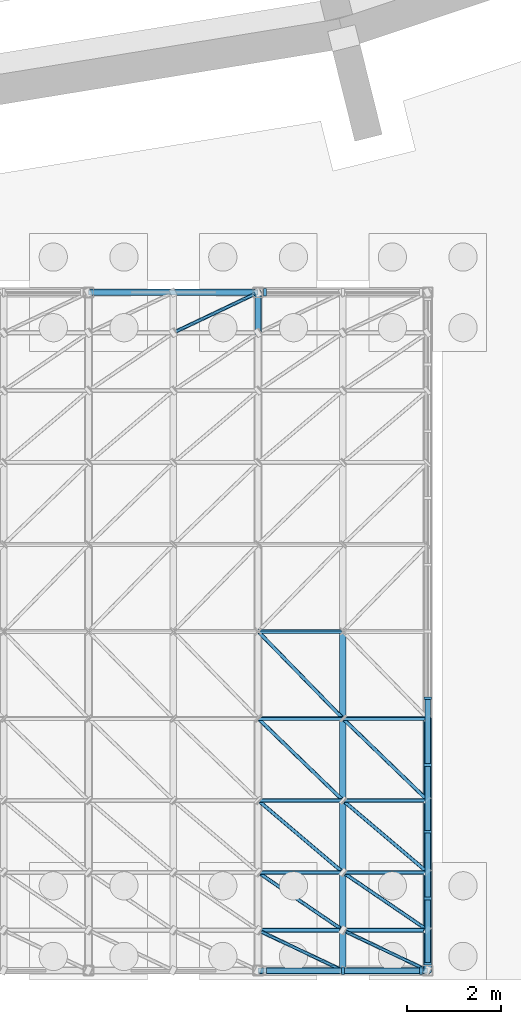
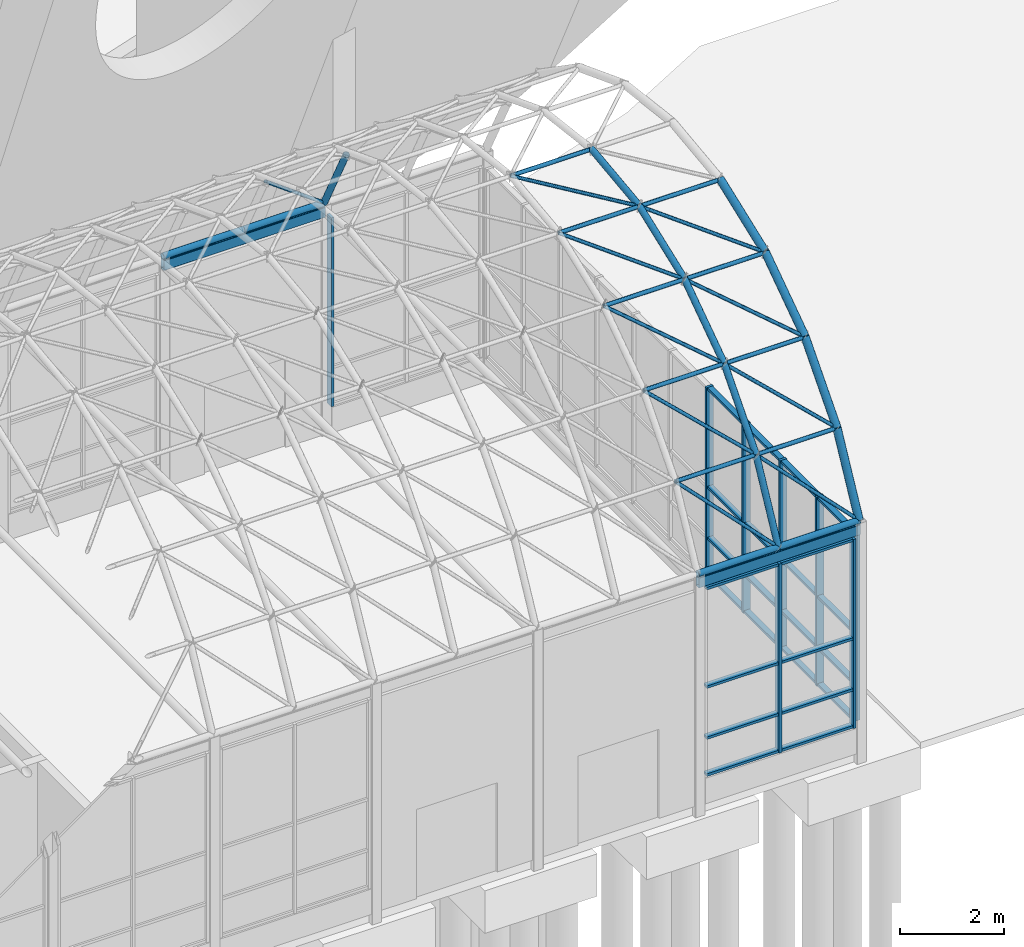
# One storey, part 36 of 116: 65 members, 2 beams, 3 elements without a shape of their own.
"""IFC4 building model written with IfcOpenShell, lengths in metres."""

from ifc_helpers import new_model, si_unit, direction, frame, origin, origin_2d, place, context, subcontext, project, spatial, rectangle, hollow_rectangle, hollow_circle, extrude, material, layer, layer_set, material_profile, profile_set, type_object, element, aggregate, save


model = new_model("IFC4")

# Units and contexts
model_context = context("Model", 3, precision=1e-05, world=origin(), true_north=direction((0.0, 1.0)))
body_context = subcontext(model_context, "Body", "Model", "MODEL_VIEW")
ifc_project = project(units=[si_unit("LENGTHUNIT", "METRE"), si_unit("AREAUNIT", "SQUARE_METRE"), si_unit("VOLUMEUNIT", "CUBIC_METRE"), si_unit("PLANEANGLEUNIT", "RADIAN"), si_unit("MASSUNIT", "GRAM", prefix="KILO")], contexts=[model_context])

# Site, building, storey
site_placement = place(None, origin())
site = spatial("IfcSite", under=ifc_project, at=site_placement, CompositionType="ELEMENT")
building_placement = place(site_placement, origin())
building = spatial("IfcBuilding", under=site, at=building_placement, Name="Ardhachandra Cancer Care Centre", CompositionType="ELEMENT")
storey_placement = place(building_placement, origin())
storey = spatial("IfcBuildingStorey", under=building, at=storey_placement, Name="L00", CompositionType="ELEMENT", Elevation=0.0)

# Beams
ifc_material_1 = material(Name="Steel E350 (IS 2062)", Category="steel")
ifc_material_profile_1 = material_profile(ifc_material_1, hollow_rectangle(XDim=0.1201171875, YDim=0.239990234375, WallThickness=0.006103515625, InnerFilletRadius=0.006103515625, OuterFilletRadius=0.011962890625, at=origin_2d()), Name="RHS 240x120x6.0")
ifc_profile_set_1 = profile_set([ifc_material_profile_1], Name="Steel E350 (IS 2062)")
beam_type = type_object("IfcBeamType", Name="Beam RHS 240x120x6.0", PredefinedType="BEAM", material=ifc_profile_set_1)
beam_1_placement = place(storey_placement, frame((88.800048828125, 7.199951171875, 5.210205078125), z_axis=(1.0, 0.0, 0.0), x_axis=(0.0, 1.0, 0.0)))
element("IfcBeam", 1, at=beam_1_placement, inside=storey, type_object=beam_type, Name="Pavilion edge beam S8-9", PredefinedType="BEAM", context=body_context, shape_type="SweptSolid", body=[
    extrude(hollow_rectangle(XDim=0.1201171875, YDim=0.239990234375, WallThickness=0.006103515625, InnerFilletRadius=0.006103515625, OuterFilletRadius=0.011962890625, at=origin_2d()), origin(), (0.0, 0.0, 1.0), 3.599853515625),
])
beam_2_placement = place(storey_placement, frame((85.199951171875, 21.60009765625, 5.210205078125), z_axis=(1.0, 0.0, 0.0), x_axis=(0.0, 1.0, 0.0)))
element("IfcBeam", 2, at=beam_2_placement, inside=storey, type_object=beam_type, Name="Pavilion edge beam N7-8", PredefinedType="BEAM", context=body_context, shape_type="SweptSolid", body=[
    extrude(hollow_rectangle(XDim=0.1201171875, YDim=0.239990234375, WallThickness=0.006103515625, InnerFilletRadius=0.006103515625, OuterFilletRadius=0.011962890625, at=origin_2d()), origin(), (0.0, 0.0, 1.0), 3.60009765625),
])

# Curtain wall, members
ifc_material_2 = material(Name="Aluminium extrusion", Category="aluminium")
ifc_layer = layer(ifc_material_2, 0.14990234375)
ifc_layer_set = layer_set([ifc_layer], Name="Aluminium extrusion")
curtain_wall_type = type_object("IfcCurtainWallType", Name="Curtain wall run", PredefinedType="NOTDEFINED", material=ifc_layer_set)
curtain_wall_1_placement = place(storey_placement, origin())
curtain_wall_1 = element("IfcCurtainWall", 3, at=curtain_wall_1_placement, inside=storey, type_object=curtain_wall_type, Name="Curtain wall L00 s/0088800_0007200", PredefinedType="NOTDEFINED")
ifc_material_3 = material(Name="Aluminium extrusion", Category="aluminium")
ifc_material_profile_2 = material_profile(ifc_material_3, rectangle(XDim=0.159912109375, YDim=0.06005859375, at=origin_2d()), Name="Curtain wall mullion 60 x 160")
ifc_profile_set_2 = profile_set([ifc_material_profile_2], Name="Aluminium extrusion")
member_type_1 = type_object("IfcMemberType", Name="Curtain wall mullion 60 x 160", PredefinedType="MULLION", material=ifc_profile_set_2)
member_1_placement = place(storey_placement, frame((90.60009765625, 7.199951171875, 0.60009765625), z_axis=(0.0, 0.0, 1.0), x_axis=(0.0, 1.0, 0.0)))
member_1 = element("IfcMember", 4, at=member_1_placement, type_object=member_type_1, Name="CW mullion 2", PredefinedType="MULLION", context=body_context, shape_type="SweptSolid", body=[
    extrude(rectangle(XDim=0.159912109375, YDim=0.06005859375, at=origin_2d()), origin(), (0.0, 0.0, 1.0), 4.449951171875),
])
member_2_placement = place(storey_placement, frame((92.2548828125, 7.199951171875, 0.60009765625), z_axis=(0.0, 0.0, 1.0), x_axis=(0.0, 1.0, 0.0)))
member_2 = element("IfcMember", 5, at=member_2_placement, type_object=member_type_1, Name="CW mullion 3", PredefinedType="MULLION", context=body_context, shape_type="SweptSolid", body=[
    extrude(rectangle(XDim=0.159912109375, YDim=0.06005859375, at=origin_2d()), origin(), (0.0, 0.0, 1.0), 4.449951171875),
])

# Curtain wall, member
curtain_wall_2_placement = place(storey_placement, origin())
curtain_wall_2 = element("IfcCurtainWall", 6, at=curtain_wall_2_placement, inside=storey, type_object=curtain_wall_type, Name="Curtain wall L00 n/0088800_0021600", PredefinedType="NOTDEFINED")
member_3_placement = place(storey_placement, frame((88.945068359375, 21.60009765625, 0.60009765625), z_axis=(0.0, 0.0, 1.0), x_axis=(0.0, 1.0, 0.0)))
member_3 = element("IfcMember", 7, at=member_3_placement, type_object=member_type_1, Name="CW mullion 1", PredefinedType="MULLION", context=body_context, shape_type="SweptSolid", body=[
    extrude(rectangle(XDim=0.159912109375, YDim=0.06005859375, at=origin_2d()), origin(), (0.0, 0.0, 1.0), 4.449951171875),
])
aggregate(curtain_wall_2, [member_3])

# Curtain wall, members
curtain_wall_3_placement = place(storey_placement, origin())
curtain_wall_3 = element("IfcCurtainWall", 8, at=curtain_wall_3_placement, inside=storey, type_object=curtain_wall_type, Name="Curtain wall L00 e/0092400_0007200", PredefinedType="NOTDEFINED")
member_4_placement = place(storey_placement, frame((92.39990234375, 7.344970703125, 0.60009765625), z_axis=(0.0, 0.0, 1.0), x_axis=(-1.0, 0.0, 0.0)))
member_4 = element("IfcMember", 9, at=member_4_placement, type_object=member_type_1, Name="CW mullion 1", PredefinedType="MULLION", context=body_context, shape_type="SweptSolid", body=[
    extrude(rectangle(XDim=0.159912109375, YDim=0.06005859375, at=origin_2d()), origin(), (0.0, 0.0, 1.0), 4.449951171875),
])
member_5_placement = place(storey_placement, frame((92.39990234375, 8.73193359375, 0.60009765625), z_axis=(0.0, 0.0, 1.0), x_axis=(-1.0, 0.0, 0.0)))
member_5 = element("IfcMember", 10, at=member_5_placement, type_object=member_type_1, Name="CW mullion 2", PredefinedType="MULLION", context=body_context, shape_type="SweptSolid", body=[
    extrude(rectangle(XDim=0.159912109375, YDim=0.06005859375, at=origin_2d()), origin(), (0.0, 0.0, 1.0), 4.449951171875),
])
member_6_placement = place(storey_placement, frame((92.39990234375, 10.14892578125, 0.60009765625), z_axis=(0.0, 0.0, 1.0), x_axis=(-1.0, 0.0, 0.0)))
member_6 = element("IfcMember", 11, at=member_6_placement, type_object=member_type_1, Name="CW mullion 3", PredefinedType="MULLION", context=body_context, shape_type="SweptSolid", body=[
    extrude(rectangle(XDim=0.159912109375, YDim=0.06005859375, at=origin_2d()), origin(), (0.0, 0.0, 1.0), 4.449951171875),
])
member_7_placement = place(storey_placement, frame((92.39990234375, 11.56591796875, 0.60009765625), z_axis=(0.0, 0.0, 1.0), x_axis=(-1.0, 0.0, 0.0)))
member_7 = element("IfcMember", 12, at=member_7_placement, type_object=member_type_1, Name="CW mullion 4", PredefinedType="MULLION", context=body_context, shape_type="SweptSolid", body=[
    extrude(rectangle(XDim=0.159912109375, YDim=0.06005859375, at=origin_2d()), origin(), (0.0, 0.0, 1.0), 4.449951171875),
])
member_8_placement = place(storey_placement, frame((92.39990234375, 12.98291015625, 0.60009765625), z_axis=(0.0, 0.0, 1.0), x_axis=(-1.0, 0.0, 0.0)))
member_8 = element("IfcMember", 13, at=member_8_placement, type_object=member_type_1, Name="CW mullion 5", PredefinedType="MULLION", context=body_context, shape_type="SweptSolid", body=[
    extrude(rectangle(XDim=0.159912109375, YDim=0.06005859375, at=origin_2d()), origin(), (0.0, 0.0, 1.0), 4.449951171875),
])

# Member
ifc_material_4 = material(Name="Aluminium extrusion", Category="aluminium")
ifc_material_profile_3 = material_profile(ifc_material_4, rectangle(XDim=0.1201171875, YDim=0.06005859375, at=origin_2d()), Name="Curtain wall transom 60 x 120")
ifc_profile_set_3 = profile_set([ifc_material_profile_3], Name="Aluminium extrusion")
member_type_2 = type_object("IfcMemberType", Name="Curtain wall transom 60 x 120", PredefinedType="USERDEFINED", material=ifc_profile_set_3)
member_9_placement = place(storey_placement, frame((88.97509765625, 7.199951171875, 0.6298828125), z_axis=(1.0, 0.0, 0.0), x_axis=(0.0, 1.0, 0.0)))
member_9 = element("IfcMember", 14, at=member_9_placement, type_object=member_type_2, Name="CW transom 1.1", ObjectType="TRANSOM", PredefinedType="USERDEFINED", context=body_context, shape_type="SweptSolid", body=[
    extrude(rectangle(XDim=0.1201171875, YDim=0.06005859375, at=origin_2d()), origin(), (0.0, 0.0, 1.0), 1.594970703125),
])

member_10_placement = place(storey_placement, frame((88.97509765625, 7.199951171875, 1.5), z_axis=(1.0, 0.0, 0.0), x_axis=(0.0, 1.0, 0.0)))
member_10 = element("IfcMember", 15, at=member_10_placement, type_object=member_type_2, Name="CW transom 1.2", ObjectType="TRANSOM", PredefinedType="USERDEFINED", context=body_context, shape_type="SweptSolid", body=[
    extrude(rectangle(XDim=0.1201171875, YDim=0.06005859375, at=origin_2d()), origin(), (0.0, 0.0, 1.0), 1.594970703125),
])

member_11_placement = place(storey_placement, frame((88.97509765625, 7.199951171875, 2.699951171875), z_axis=(1.0, 0.0, 0.0), x_axis=(0.0, 1.0, 0.0)))
member_11 = element("IfcMember", 16, at=member_11_placement, type_object=member_type_2, Name="CW transom 1.3", ObjectType="TRANSOM", PredefinedType="USERDEFINED", context=body_context, shape_type="SweptSolid", body=[
    extrude(rectangle(XDim=0.1201171875, YDim=0.06005859375, at=origin_2d()), origin(), (0.0, 0.0, 1.0), 1.594970703125),
])

member_12_placement = place(storey_placement, frame((88.97509765625, 7.199951171875, 5.02001953125), z_axis=(1.0, 0.0, 0.0), x_axis=(0.0, 1.0, 0.0)))
member_12 = element("IfcMember", 17, at=member_12_placement, type_object=member_type_2, Name="CW transom 1.4", ObjectType="TRANSOM", PredefinedType="USERDEFINED", context=body_context, shape_type="SweptSolid", body=[
    extrude(rectangle(XDim=0.1201171875, YDim=0.06005859375, at=origin_2d()), origin(), (0.0, 0.0, 1.0), 1.594970703125),
])

member_13_placement = place(storey_placement, frame((90.6298828125, 7.199951171875, 0.6298828125), z_axis=(1.0, 0.0, 0.0), x_axis=(0.0, 1.0, 0.0)))
member_13 = element("IfcMember", 18, at=member_13_placement, type_object=member_type_2, Name="CW transom 2.1", ObjectType="TRANSOM", PredefinedType="USERDEFINED", context=body_context, shape_type="SweptSolid", body=[
    extrude(rectangle(XDim=0.1201171875, YDim=0.06005859375, at=origin_2d()), origin(), (0.0, 0.0, 1.0), 1.59521484375),
])

member_14_placement = place(storey_placement, frame((90.6298828125, 7.199951171875, 1.5), z_axis=(1.0, 0.0, 0.0), x_axis=(0.0, 1.0, 0.0)))
member_14 = element("IfcMember", 19, at=member_14_placement, type_object=member_type_2, Name="CW transom 2.2", ObjectType="TRANSOM", PredefinedType="USERDEFINED", context=body_context, shape_type="SweptSolid", body=[
    extrude(rectangle(XDim=0.1201171875, YDim=0.06005859375, at=origin_2d()), origin(), (0.0, 0.0, 1.0), 1.59521484375),
])

member_15_placement = place(storey_placement, frame((90.6298828125, 7.199951171875, 2.699951171875), z_axis=(1.0, 0.0, 0.0), x_axis=(0.0, 1.0, 0.0)))
member_15 = element("IfcMember", 20, at=member_15_placement, type_object=member_type_2, Name="CW transom 2.3", ObjectType="TRANSOM", PredefinedType="USERDEFINED", context=body_context, shape_type="SweptSolid", body=[
    extrude(rectangle(XDim=0.1201171875, YDim=0.06005859375, at=origin_2d()), origin(), (0.0, 0.0, 1.0), 1.59521484375),
])

member_16_placement = place(storey_placement, frame((90.6298828125, 7.199951171875, 5.02001953125), z_axis=(1.0, 0.0, 0.0), x_axis=(0.0, 1.0, 0.0)))
member_16 = element("IfcMember", 21, at=member_16_placement, type_object=member_type_2, Name="CW transom 2.4", ObjectType="TRANSOM", PredefinedType="USERDEFINED", context=body_context, shape_type="SweptSolid", body=[
    extrude(rectangle(XDim=0.1201171875, YDim=0.06005859375, at=origin_2d()), origin(), (0.0, 0.0, 1.0), 1.59521484375),
])

aggregate(curtain_wall_1, [member_1, member_2, member_9, member_10, member_11, member_12, member_13, member_14, member_15, member_16])

member_17_placement = place(storey_placement, frame((92.39990234375, 7.375, 0.6298828125), z_axis=(0.0, 1.0, 0.0), x_axis=(-1.0, 0.0, 0.0)))
member_17 = element("IfcMember", 22, at=member_17_placement, type_object=member_type_2, Name="CW transom 1.1", ObjectType="TRANSOM", PredefinedType="USERDEFINED", context=body_context, shape_type="SweptSolid", body=[
    extrude(rectangle(XDim=0.1201171875, YDim=0.06005859375, at=origin_2d()), origin(), (0.0, 0.0, 1.0), 1.326904296875),
])

member_18_placement = place(storey_placement, frame((92.39990234375, 7.375, 1.5), z_axis=(0.0, 1.0, 0.0), x_axis=(-1.0, 0.0, 0.0)))
member_18 = element("IfcMember", 23, at=member_18_placement, type_object=member_type_2, Name="CW transom 1.2", ObjectType="TRANSOM", PredefinedType="USERDEFINED", context=body_context, shape_type="SweptSolid", body=[
    extrude(rectangle(XDim=0.1201171875, YDim=0.06005859375, at=origin_2d()), origin(), (0.0, 0.0, 1.0), 1.326904296875),
])

member_19_placement = place(storey_placement, frame((92.39990234375, 7.375, 2.699951171875), z_axis=(0.0, 1.0, 0.0), x_axis=(-1.0, 0.0, 0.0)))
member_19 = element("IfcMember", 24, at=member_19_placement, type_object=member_type_2, Name="CW transom 1.3", ObjectType="TRANSOM", PredefinedType="USERDEFINED", context=body_context, shape_type="SweptSolid", body=[
    extrude(rectangle(XDim=0.1201171875, YDim=0.06005859375, at=origin_2d()), origin(), (0.0, 0.0, 1.0), 1.326904296875),
])

member_20_placement = place(storey_placement, frame((92.39990234375, 7.375, 5.02001953125), z_axis=(0.0, 1.0, 0.0), x_axis=(-1.0, 0.0, 0.0)))
member_20 = element("IfcMember", 25, at=member_20_placement, type_object=member_type_2, Name="CW transom 1.4", ObjectType="TRANSOM", PredefinedType="USERDEFINED", context=body_context, shape_type="SweptSolid", body=[
    extrude(rectangle(XDim=0.1201171875, YDim=0.06005859375, at=origin_2d()), origin(), (0.0, 0.0, 1.0), 1.326904296875),
])

member_21_placement = place(storey_placement, frame((92.39990234375, 8.761962890625, 0.6298828125), z_axis=(0.0, 1.0, 0.0), x_axis=(-1.0, 0.0, 0.0)))
member_21 = element("IfcMember", 26, at=member_21_placement, type_object=member_type_2, Name="CW transom 2.1", ObjectType="TRANSOM", PredefinedType="USERDEFINED", context=body_context, shape_type="SweptSolid", body=[
    extrude(rectangle(XDim=0.1201171875, YDim=0.06005859375, at=origin_2d()), origin(), (0.0, 0.0, 1.0), 1.35693359375),
])

member_22_placement = place(storey_placement, frame((92.39990234375, 8.761962890625, 1.5), z_axis=(0.0, 1.0, 0.0), x_axis=(-1.0, 0.0, 0.0)))
member_22 = element("IfcMember", 27, at=member_22_placement, type_object=member_type_2, Name="CW transom 2.2", ObjectType="TRANSOM", PredefinedType="USERDEFINED", context=body_context, shape_type="SweptSolid", body=[
    extrude(rectangle(XDim=0.1201171875, YDim=0.06005859375, at=origin_2d()), origin(), (0.0, 0.0, 1.0), 1.35693359375),
])

member_23_placement = place(storey_placement, frame((92.39990234375, 8.761962890625, 2.699951171875), z_axis=(0.0, 1.0, 0.0), x_axis=(-1.0, 0.0, 0.0)))
member_23 = element("IfcMember", 28, at=member_23_placement, type_object=member_type_2, Name="CW transom 2.3", ObjectType="TRANSOM", PredefinedType="USERDEFINED", context=body_context, shape_type="SweptSolid", body=[
    extrude(rectangle(XDim=0.1201171875, YDim=0.06005859375, at=origin_2d()), origin(), (0.0, 0.0, 1.0), 1.35693359375),
])

member_24_placement = place(storey_placement, frame((92.39990234375, 8.761962890625, 5.02001953125), z_axis=(0.0, 1.0, 0.0), x_axis=(-1.0, 0.0, 0.0)))
member_24 = element("IfcMember", 29, at=member_24_placement, type_object=member_type_2, Name="CW transom 2.4", ObjectType="TRANSOM", PredefinedType="USERDEFINED", context=body_context, shape_type="SweptSolid", body=[
    extrude(rectangle(XDim=0.1201171875, YDim=0.06005859375, at=origin_2d()), origin(), (0.0, 0.0, 1.0), 1.35693359375),
])

member_25_placement = place(storey_placement, frame((92.39990234375, 10.178955078125, 0.6298828125), z_axis=(0.0, 1.0, 0.0), x_axis=(-1.0, 0.0, 0.0)))
member_25 = element("IfcMember", 30, at=member_25_placement, type_object=member_type_2, Name="CW transom 3.1", ObjectType="TRANSOM", PredefinedType="USERDEFINED", context=body_context, shape_type="SweptSolid", body=[
    extrude(rectangle(XDim=0.1201171875, YDim=0.06005859375, at=origin_2d()), origin(), (0.0, 0.0, 1.0), 1.35693359375),
])

member_26_placement = place(storey_placement, frame((92.39990234375, 10.178955078125, 1.5), z_axis=(0.0, 1.0, 0.0), x_axis=(-1.0, 0.0, 0.0)))
member_26 = element("IfcMember", 31, at=member_26_placement, type_object=member_type_2, Name="CW transom 3.2", ObjectType="TRANSOM", PredefinedType="USERDEFINED", context=body_context, shape_type="SweptSolid", body=[
    extrude(rectangle(XDim=0.1201171875, YDim=0.06005859375, at=origin_2d()), origin(), (0.0, 0.0, 1.0), 1.35693359375),
])

member_27_placement = place(storey_placement, frame((92.39990234375, 10.178955078125, 2.699951171875), z_axis=(0.0, 1.0, 0.0), x_axis=(-1.0, 0.0, 0.0)))
member_27 = element("IfcMember", 32, at=member_27_placement, type_object=member_type_2, Name="CW transom 3.3", ObjectType="TRANSOM", PredefinedType="USERDEFINED", context=body_context, shape_type="SweptSolid", body=[
    extrude(rectangle(XDim=0.1201171875, YDim=0.06005859375, at=origin_2d()), origin(), (0.0, 0.0, 1.0), 1.35693359375),
])

member_28_placement = place(storey_placement, frame((92.39990234375, 10.178955078125, 5.02001953125), z_axis=(0.0, 1.0, 0.0), x_axis=(-1.0, 0.0, 0.0)))
member_28 = element("IfcMember", 33, at=member_28_placement, type_object=member_type_2, Name="CW transom 3.4", ObjectType="TRANSOM", PredefinedType="USERDEFINED", context=body_context, shape_type="SweptSolid", body=[
    extrude(rectangle(XDim=0.1201171875, YDim=0.06005859375, at=origin_2d()), origin(), (0.0, 0.0, 1.0), 1.35693359375),
])

member_29_placement = place(storey_placement, frame((92.39990234375, 11.595947265625, 0.6298828125), z_axis=(0.0, 1.0, 0.0), x_axis=(-1.0, 0.0, 0.0)))
member_29 = element("IfcMember", 34, at=member_29_placement, type_object=member_type_2, Name="CW transom 4.1", ObjectType="TRANSOM", PredefinedType="USERDEFINED", context=body_context, shape_type="SweptSolid", body=[
    extrude(rectangle(XDim=0.1201171875, YDim=0.06005859375, at=origin_2d()), origin(), (0.0, 0.0, 1.0), 1.35693359375),
])

member_30_placement = place(storey_placement, frame((92.39990234375, 11.595947265625, 1.5), z_axis=(0.0, 1.0, 0.0), x_axis=(-1.0, 0.0, 0.0)))
member_30 = element("IfcMember", 35, at=member_30_placement, type_object=member_type_2, Name="CW transom 4.2", ObjectType="TRANSOM", PredefinedType="USERDEFINED", context=body_context, shape_type="SweptSolid", body=[
    extrude(rectangle(XDim=0.1201171875, YDim=0.06005859375, at=origin_2d()), origin(), (0.0, 0.0, 1.0), 1.35693359375),
])

member_31_placement = place(storey_placement, frame((92.39990234375, 11.595947265625, 2.699951171875), z_axis=(0.0, 1.0, 0.0), x_axis=(-1.0, 0.0, 0.0)))
member_31 = element("IfcMember", 36, at=member_31_placement, type_object=member_type_2, Name="CW transom 4.3", ObjectType="TRANSOM", PredefinedType="USERDEFINED", context=body_context, shape_type="SweptSolid", body=[
    extrude(rectangle(XDim=0.1201171875, YDim=0.06005859375, at=origin_2d()), origin(), (0.0, 0.0, 1.0), 1.35693359375),
])

member_32_placement = place(storey_placement, frame((92.39990234375, 11.595947265625, 5.02001953125), z_axis=(0.0, 1.0, 0.0), x_axis=(-1.0, 0.0, 0.0)))
member_32 = element("IfcMember", 37, at=member_32_placement, type_object=member_type_2, Name="CW transom 4.4", ObjectType="TRANSOM", PredefinedType="USERDEFINED", context=body_context, shape_type="SweptSolid", body=[
    extrude(rectangle(XDim=0.1201171875, YDim=0.06005859375, at=origin_2d()), origin(), (0.0, 0.0, 1.0), 1.35693359375),
])

aggregate(curtain_wall_3, [member_4, member_5, member_6, member_7, member_8, member_17, member_18, member_19, member_20, member_21, member_22, member_23, member_24, member_25, member_26, member_27, member_28, member_29, member_30, member_31, member_32])

# Members
ifc_material_5 = material(Name="Steel E350 (IS 2062)", Category="steel")
ifc_material_profile_4 = material_profile(ifc_material_5, hollow_circle(Radius=0.0380859375, WallThickness=0.00390625, at=origin_2d()), Name="CHS 76.1x4.0")
ifc_profile_set_4 = profile_set([ifc_material_profile_4], Name="Steel E350 (IS 2062)")
member_type_3 = type_object("IfcMemberType", Name="Pavilion shell Diagonal CHS 76.1x4.0", PredefinedType="BRACE", material=ifc_profile_set_4)
for number, where, z_axis, x_axis, name in (
    (38, (87.0, 20.74365234375, 7.05224609375), (0.695216484809, 0.330777082424, -0.638169696079), (-0.429638804888, 0.903000829088, 0.0), "Pavilion shell diagonal 13-09"),
    (39, (90.60009765625, 7.199951171875, 5.39990234375), (-0.695216484809, 0.330777082424, 0.638169696079), (-0.429638804888, -0.903000829088, 0.0), "Pavilion shell diagonal 15-00"),
    (40, (90.60009765625, 8.056396484375, 7.05224609375), (-0.695228192268, 0.474486404923, 0.539926302581), (-0.563715663494, -0.825968916323, 0.0), "Pavilion shell diagonal 15-01"),
):
    element("IfcMember", number, at=place(storey_placement, frame(where, z_axis=z_axis, x_axis=x_axis)), inside=storey, type_object=member_type_3, Name=name, PredefinedType="BRACE", context=body_context, shape_type="SweptSolid", body=[
        extrude(hollow_circle(Radius=0.0380859375, WallThickness=0.00390625, at=origin_2d()), origin(), (0.0, 0.0, 1.0), 2.589111328125),
    ])
member_33_placement = place(storey_placement, frame((90.60009765625, 9.284912109375, 8.4501953125), z_axis=(-0.695198374646, 0.590442455179, 0.409971861245), x_axis=(-0.647345290396, -0.762196874175, 0.0)))
element("IfcMember", 41, at=member_33_placement, inside=storey, type_object=member_type_3, Name="Pavilion shell diagonal 15-02", PredefinedType="BRACE", context=body_context, shape_type="SweptSolid", body=[
    extrude(hollow_circle(Radius=0.0380859375, WallThickness=0.00390625, at=origin_2d()), origin(), (0.0, 0.0, 1.0), 2.58935546875),
])
for number, where, z_axis, x_axis, name in (
    (42, (90.60009765625, 10.813720703125, 9.51171875), (-0.69522740722, 0.671653983674, 0.25600737971), (-0.694808600346, -0.7191946947, 0.0), "Pavilion shell diagonal 15-03"),
    (43, (90.60009765625, 12.552734375, 10.174560546875), (-0.695264712339, 0.713464371837, 0.087037749829), (-0.716182273472, -0.697913283413, 0.0), "Pavilion shell diagonal 15-04"),
    (44, (92.39990234375, 7.199951171875, 5.39990234375), (-0.69516776168, 0.330798766681, 0.638211531613), (-0.429686325077, -0.902978217922, 0.0), "Pavilion shell diagonal 16-00"),
):
    element("IfcMember", number, at=place(storey_placement, frame(where, z_axis=z_axis, x_axis=x_axis)), inside=storey, type_object=member_type_3, Name=name, PredefinedType="BRACE", context=body_context, shape_type="SweptSolid", body=[
        extrude(hollow_circle(Radius=0.0380859375, WallThickness=0.00390625, at=origin_2d()), origin(), (0.0, 0.0, 1.0), 2.589111328125),
    ])
member_34_placement = place(storey_placement, frame((92.39990234375, 8.056396484375, 7.05224609375), z_axis=(-0.695179469854, 0.474517511164, 0.539961698912), x_axis=(-0.56376782788, -0.825933312228, 0.0)))
element("IfcMember", 45, at=member_34_placement, inside=storey, type_object=member_type_3, Name="Pavilion shell diagonal 16-01", PredefinedType="BRACE", context=body_context, shape_type="SweptSolid", body=[
    extrude(hollow_circle(Radius=0.0380859375, WallThickness=0.00390625, at=origin_2d()), origin(), (0.0, 0.0, 1.0), 2.5888671875),
])
member_35_placement = place(storey_placement, frame((92.39990234375, 9.284912109375, 8.4501953125), z_axis=(-0.695149650411, 0.590481159913, 0.409998735755), x_axis=(-0.647396299531, -0.76215354841, 0.0)))
element("IfcMember", 46, at=member_35_placement, inside=storey, type_object=member_type_3, Name="Pavilion shell diagonal 16-02", PredefinedType="BRACE", context=body_context, shape_type="SweptSolid", body=[
    extrude(hollow_circle(Radius=0.0380859375, WallThickness=0.00390625, at=origin_2d()), origin(), (0.0, 0.0, 1.0), 2.589111328125),
])
member_36_placement = place(storey_placement, frame((92.39990234375, 10.813720703125, 9.51171875), z_axis=(-0.695178684757, 0.671698015671, 0.256024162929), x_axis=(-0.694857345354, -0.71914759932, 0.0)))
element("IfcMember", 47, at=member_36_placement, inside=storey, type_object=member_type_3, Name="Pavilion shell diagonal 16-03", PredefinedType="BRACE", context=body_context, shape_type="SweptSolid", body=[
    extrude(hollow_circle(Radius=0.0380859375, WallThickness=0.00390625, at=origin_2d()), origin(), (0.0, 0.0, 1.0), 2.5888671875),
])
ifc_material_6 = material(Name="Steel E350 (IS 2062)", Category="steel")
ifc_material_profile_5 = material_profile(ifc_material_6, hollow_circle(Radius=0.06982421875, WallThickness=0.0048828125, at=origin_2d()), Name="CHS 139.7x5.0")
ifc_profile_set_5 = profile_set([ifc_material_profile_5], Name="Steel E350 (IS 2062)")
member_type_4 = type_object("IfcMemberType", Name="Pavilion shell Purlin CHS 139.7x5.0", PredefinedType="PURLIN", material=ifc_profile_set_5)
member_37_placement = place(storey_placement, frame((88.800048828125, 7.199951171875, 5.39990234375), z_axis=(1.0, 0.0, 0.0), x_axis=(0.0, 1.0, 0.0)))
element("IfcMember", 48, at=member_37_placement, inside=storey, type_object=member_type_4, Name="Pavilion shell purlin 14-00", PredefinedType="PURLIN", context=body_context, shape_type="SweptSolid", body=[
    extrude(hollow_circle(Radius=0.06982421875, WallThickness=0.0048828125, at=origin_2d()), origin(), (0.0, 0.0, 1.0), 1.800048828125),
])
member_38_placement = place(storey_placement, frame((90.60009765625, 7.199951171875, 5.39990234375), z_axis=(1.0, 0.0, 0.0), x_axis=(0.0, 1.0, 0.0)))
element("IfcMember", 49, at=member_38_placement, inside=storey, type_object=member_type_4, Name="Pavilion shell purlin 15-00", PredefinedType="PURLIN", context=body_context, shape_type="SweptSolid", body=[
    extrude(hollow_circle(Radius=0.06982421875, WallThickness=0.0048828125, at=origin_2d()), origin(), (0.0, 0.0, 1.0), 1.7998046875),
])
for number, where, z_axis, x_axis, name in (
    (50, (85.199951171875, 21.60009765625, 5.39990234375), (1.0, 0.0, 0.0), (0.0, 1.0, 0.0), "Pavilion shell purlin 12-10"),
    (51, (87.0, 21.60009765625, 5.39990234375), (1.0, 0.0, 0.0), (0.0, 1.0, 0.0), "Pavilion shell purlin 13-10"),
):
    element("IfcMember", number, at=place(storey_placement, frame(where, z_axis=z_axis, x_axis=x_axis)), inside=storey, type_object=member_type_4, Name=name, PredefinedType="PURLIN", context=body_context, shape_type="SweptSolid", body=[
        extrude(hollow_circle(Radius=0.06982421875, WallThickness=0.0048828125, at=origin_2d()), origin(), (0.0, 0.0, 1.0), 1.800048828125),
    ])
ifc_material_7 = material(Name="Steel E350 (IS 2062)", Category="steel")
ifc_material_profile_6 = material_profile(ifc_material_7, hollow_circle(Radius=0.04443359375, WallThickness=0.00390625, at=origin_2d()), Name="CHS 88.9x4.0")
ifc_profile_set_6 = profile_set([ifc_material_profile_6], Name="Steel E350 (IS 2062)")
member_type_5 = type_object("IfcMemberType", Name="Pavilion shell Purlin CHS 88.9x4.0", PredefinedType="PURLIN", material=ifc_profile_set_6)
member_39_placement = place(storey_placement, frame((88.800048828125, 8.056396484375, 7.05224609375), z_axis=(1.0, 0.0, 0.0), x_axis=(0.0, 1.0, 0.0)))
element("IfcMember", 52, at=member_39_placement, inside=storey, type_object=member_type_5, Name="Pavilion shell purlin 14-01", PredefinedType="PURLIN", context=body_context, shape_type="SweptSolid", body=[
    extrude(hollow_circle(Radius=0.04443359375, WallThickness=0.00390625, at=origin_2d()), origin(), (0.0, 0.0, 1.0), 1.800048828125),
])
member_40_placement = place(storey_placement, frame((90.60009765625, 8.056396484375, 7.05224609375), z_axis=(1.0, 0.0, 0.0), x_axis=(0.0, 1.0, 0.0)))
element("IfcMember", 53, at=member_40_placement, inside=storey, type_object=member_type_5, Name="Pavilion shell purlin 15-01", PredefinedType="PURLIN", context=body_context, shape_type="SweptSolid", body=[
    extrude(hollow_circle(Radius=0.04443359375, WallThickness=0.00390625, at=origin_2d()), origin(), (0.0, 0.0, 1.0), 1.7998046875),
])
member_41_placement = place(storey_placement, frame((88.800048828125, 9.284912109375, 8.4501953125), z_axis=(1.0, 0.0, 0.0), x_axis=(0.0, 1.0, 0.0)))
element("IfcMember", 54, at=member_41_placement, inside=storey, type_object=member_type_5, Name="Pavilion shell purlin 14-02", PredefinedType="PURLIN", context=body_context, shape_type="SweptSolid", body=[
    extrude(hollow_circle(Radius=0.04443359375, WallThickness=0.00390625, at=origin_2d()), origin(), (0.0, 0.0, 1.0), 1.800048828125),
])
member_42_placement = place(storey_placement, frame((90.60009765625, 9.284912109375, 8.4501953125), z_axis=(1.0, 0.0, 0.0), x_axis=(0.0, 1.0, 0.0)))
element("IfcMember", 55, at=member_42_placement, inside=storey, type_object=member_type_5, Name="Pavilion shell purlin 15-02", PredefinedType="PURLIN", context=body_context, shape_type="SweptSolid", body=[
    extrude(hollow_circle(Radius=0.04443359375, WallThickness=0.00390625, at=origin_2d()), origin(), (0.0, 0.0, 1.0), 1.7998046875),
])
member_43_placement = place(storey_placement, frame((88.800048828125, 10.813720703125, 9.51171875), z_axis=(1.0, 0.0, 0.0), x_axis=(0.0, 1.0, 0.0)))
element("IfcMember", 56, at=member_43_placement, inside=storey, type_object=member_type_5, Name="Pavilion shell purlin 14-03", PredefinedType="PURLIN", context=body_context, shape_type="SweptSolid", body=[
    extrude(hollow_circle(Radius=0.04443359375, WallThickness=0.00390625, at=origin_2d()), origin(), (0.0, 0.0, 1.0), 1.800048828125),
])
member_44_placement = place(storey_placement, frame((90.60009765625, 10.813720703125, 9.51171875), z_axis=(1.0, 0.0, 0.0), x_axis=(0.0, 1.0, 0.0)))
element("IfcMember", 57, at=member_44_placement, inside=storey, type_object=member_type_5, Name="Pavilion shell purlin 15-03", PredefinedType="PURLIN", context=body_context, shape_type="SweptSolid", body=[
    extrude(hollow_circle(Radius=0.04443359375, WallThickness=0.00390625, at=origin_2d()), origin(), (0.0, 0.0, 1.0), 1.7998046875),
])
member_45_placement = place(storey_placement, frame((88.800048828125, 12.552734375, 10.174560546875), z_axis=(1.0, 0.0, 0.0), x_axis=(0.0, 1.0, 0.0)))
element("IfcMember", 58, at=member_45_placement, inside=storey, type_object=member_type_5, Name="Pavilion shell purlin 14-04", PredefinedType="PURLIN", context=body_context, shape_type="SweptSolid", body=[
    extrude(hollow_circle(Radius=0.04443359375, WallThickness=0.00390625, at=origin_2d()), origin(), (0.0, 0.0, 1.0), 1.800048828125),
])
member_46_placement = place(storey_placement, frame((90.60009765625, 12.552734375, 10.174560546875), z_axis=(1.0, 0.0, 0.0), x_axis=(0.0, 1.0, 0.0)))
element("IfcMember", 59, at=member_46_placement, inside=storey, type_object=member_type_5, Name="Pavilion shell purlin 15-04", PredefinedType="PURLIN", context=body_context, shape_type="SweptSolid", body=[
    extrude(hollow_circle(Radius=0.04443359375, WallThickness=0.00390625, at=origin_2d()), origin(), (0.0, 0.0, 1.0), 1.7998046875),
])
member_47_placement = place(storey_placement, frame((88.800048828125, 14.39990234375, 10.39990234375), z_axis=(1.0, 0.0, 0.0), x_axis=(0.0, 1.0, 0.0)))
element("IfcMember", 60, at=member_47_placement, inside=storey, type_object=member_type_5, Name="Pavilion shell purlin 14-05", PredefinedType="PURLIN", context=body_context, shape_type="SweptSolid", body=[
    extrude(hollow_circle(Radius=0.04443359375, WallThickness=0.00390625, at=origin_2d()), origin(), (0.0, 0.0, 1.0), 1.800048828125),
])
ifc_material_8 = material(Name="Steel E350 (IS 2062)", Category="steel")
ifc_material_profile_7 = material_profile(ifc_material_8, hollow_circle(Radius=0.06982421875, WallThickness=0.0048828125, at=origin_2d()), Name="CHS 139.7x5.0")
ifc_profile_set_7 = profile_set([ifc_material_profile_7], Name="Steel E350 (IS 2062)")
member_type_6 = type_object("IfcMemberType", Name="Pavilion shell Rib CHS 139.7x5.0", PredefinedType="RAFTER", material=ifc_profile_set_7)
for number, where, z_axis, x_axis, name in (
    (61, (88.800048828125, 20.74365234375, 7.05224609375), (0.0, 0.460179313582, -0.8878259961), (-1.0, 0.0, 0.0), "Pavilion shell rib 14-09"),
    (62, (90.60009765625, 7.199951171875, 5.39990234375), (0.0, 0.460179313582, 0.8878259961), (-1.0, 0.0, 0.0), "Pavilion shell rib 15-00"),
    (63, (90.60009765625, 8.056396484375, 7.05224609375), (0.0, 0.66011909381, 0.751160956112), (-1.0, 0.0, 0.0), "Pavilion shell rib 15-01"),
    (64, (90.60009765625, 9.284912109375, 8.4501953125), (0.0, 0.821407520032, 0.570341727419), (-1.0, 0.0, 0.0), "Pavilion shell rib 15-02"),
    (65, (90.60009765625, 10.813720703125, 9.51171875), (0.0, 0.934423296617, 0.356164432165), (-1.0, 0.0, 0.0), "Pavilion shell rib 15-03"),
):
    element("IfcMember", number, at=place(storey_placement, frame(where, z_axis=z_axis, x_axis=x_axis)), inside=storey, type_object=member_type_6, Name=name, PredefinedType="RAFTER", context=body_context, shape_type="SweptSolid", body=[
        extrude(hollow_circle(Radius=0.06982421875, WallThickness=0.0048828125, at=origin_2d()), origin(), (0.0, 0.0, 1.0), 1.861083984375),
    ])
member_48_placement = place(storey_placement, frame((90.60009765625, 12.552734375, 10.174560546875), z_axis=(0.0, 0.992640877969, 0.121095364838), x_axis=(-1.0, 0.0, 0.0)))
element("IfcMember", 66, at=member_48_placement, inside=storey, type_object=member_type_6, Name="Pavilion shell rib 15-04", PredefinedType="RAFTER", context=body_context, shape_type="SweptSolid", body=[
    extrude(hollow_circle(Radius=0.06982421875, WallThickness=0.0048828125, at=origin_2d()), origin(), (0.0, 0.0, 1.0), 1.86083984375),
])
ifc_material_9 = material(Name="Steel E350 (IS 2062)", Category="steel")
ifc_material_profile_8 = material_profile(ifc_material_9, hollow_circle(Radius=0.084228515625, WallThickness=0.00634765625, at=origin_2d()), Name="CHS 168.3x6.3")
ifc_profile_set_8 = profile_set([ifc_material_profile_8], Name="Steel E350 (IS 2062)")
member_type_7 = type_object("IfcMemberType", Name="Pavilion shell Rib CHS 168.3x6.3", PredefinedType="RAFTER", material=ifc_profile_set_8)
for number, where, z_axis, x_axis, name in (
    (67, (92.39990234375, 7.199951171875, 5.39990234375), (0.0, 0.460179313582, 0.8878259961), (-1.0, 0.0, 0.0), "Pavilion shell rib 16-00"),
    (68, (92.39990234375, 8.056396484375, 7.05224609375), (0.0, 0.66011909381, 0.751160956112), (-1.0, 0.0, 0.0), "Pavilion shell rib 16-01"),
    (69, (92.39990234375, 9.284912109375, 8.4501953125), (0.0, 0.821407520032, 0.570341727419), (-1.0, 0.0, 0.0), "Pavilion shell rib 16-02"),
    (70, (92.39990234375, 10.813720703125, 9.51171875), (0.0, 0.934423296617, 0.356164432165), (-1.0, 0.0, 0.0), "Pavilion shell rib 16-03"),
):
    element("IfcMember", number, at=place(storey_placement, frame(where, z_axis=z_axis, x_axis=x_axis)), inside=storey, type_object=member_type_7, Name=name, PredefinedType="RAFTER", context=body_context, shape_type="SweptSolid", body=[
        extrude(hollow_circle(Radius=0.084228515625, WallThickness=0.00634765625, at=origin_2d()), origin(), (0.0, 0.0, 1.0), 1.861083984375),
    ])

save(model, "model.ifc")
